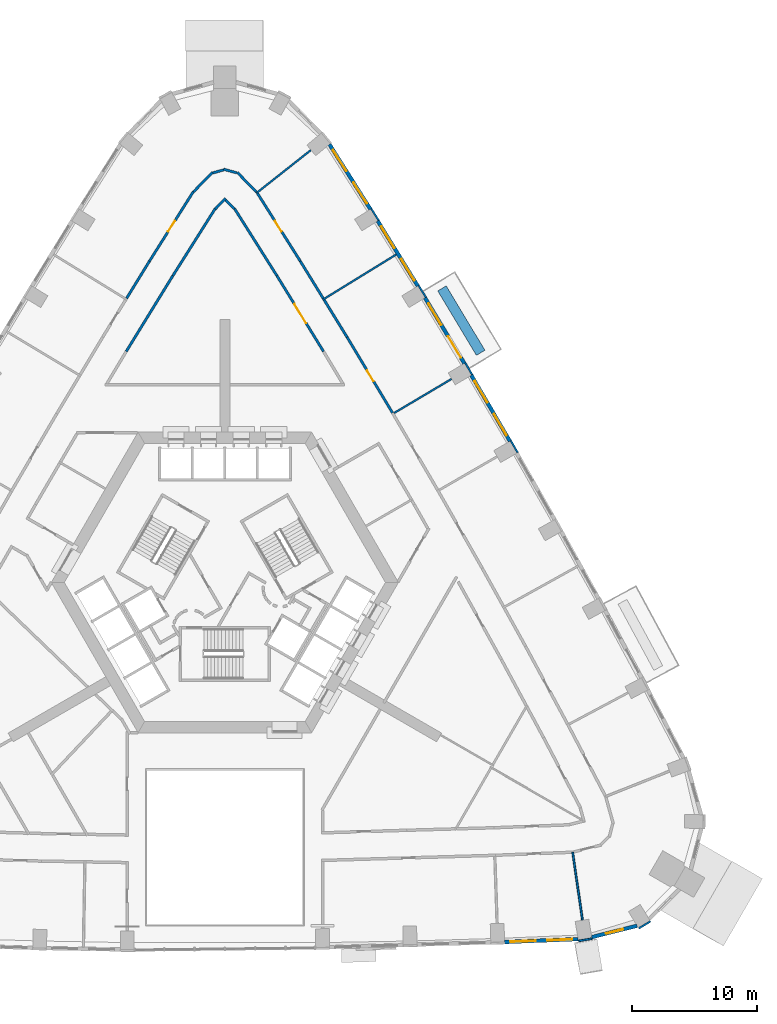
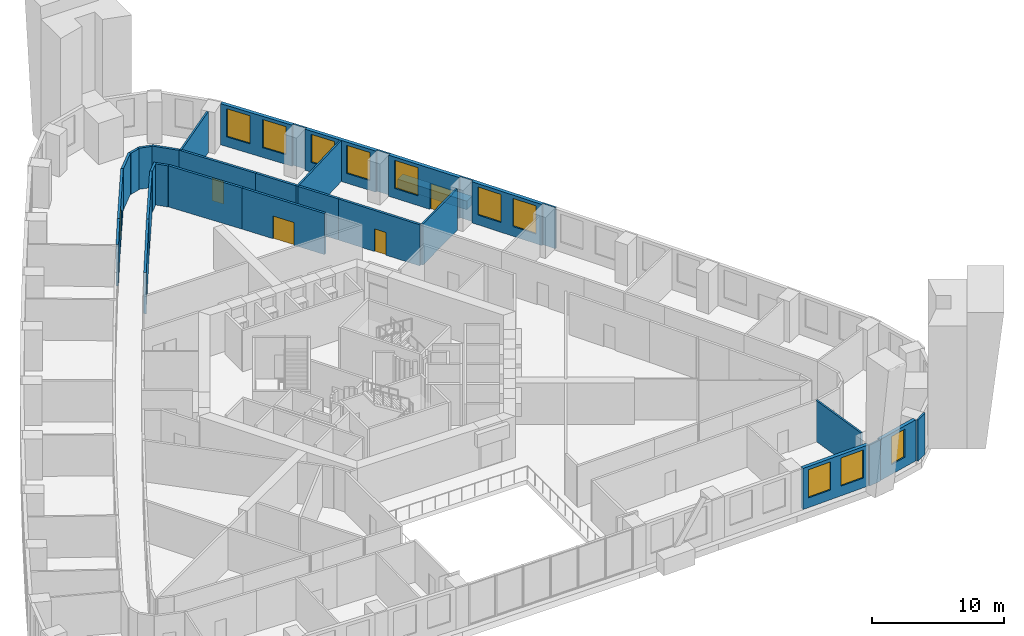
# One storey, part 10 of 15: 33 walls, 10 windows, 5 doors, 15 openings.
"""IFC4 building model written with IfcOpenShell, lengths in metres."""

import ifcopenshell
import ifcopenshell.guid

model = None  # the IFC model being written
_history = None  # IfcOwnerHistory: only IFC2X3 demands one
_inside = {}  # id of a spatial element -> (the spatial element, [elements in it])
_under = {}  # id of a project, library or spatial element -> (it, [spatial elements below it])
_declared = {}  # id of a project -> (the project, [libraries it declares])
_typed = {}  # id of a type object -> (the type object, [elements of that type])
_made_of = {}  # id of a material, layer set ... -> (it, [elements and type objects made of it])


def new_model(schema):
    """Start an empty IFC model of exactly this schema.

    Asked for "IFC4X3", IfcOpenShell would pick the latest addendum, in which some entities
    have other attributes; the version numbers below select the first issue.
    IFC2X3 requires an IfcOwnerHistory on every rooted entity: one is made here for all.
    """
    global model, _history
    if schema == "IFC4X3":
        model = ifcopenshell.file(schema_version=(4, 3, 0, 0))
    else:
        model = ifcopenshell.file(schema=schema)
    _inside.clear()
    _under.clear()
    _declared.clear()
    _typed.clear()
    _made_of.clear()
    _history = None
    if model.schema == "IFC2X3":
        org = make("IfcOrganization", Name="unknown")
        user = make(
            "IfcPersonAndOrganization",
            ThePerson=make("IfcPerson", FamilyName="unknown"),
            TheOrganization=org,
        )
        app = make(
            "IfcApplication",
            ApplicationDeveloper=org,
            Version="unknown",
            ApplicationFullName="unknown",
            ApplicationIdentifier="unknown",
        )
        _history = make(
            "IfcOwnerHistory",
            OwningUser=user,
            OwningApplication=app,
            ChangeAction="ADDED",
            CreationDate=0,
        )
    return model


def make(cls, **values):
    """One entity of the class cls with the attributes given. An attribute that is None is left unset."""
    return model.create_entity(
        cls, **{name: value for name, value in values.items() if value is not None}
    )


def rooted(cls, **values):
    """An entity with a GlobalId (a new one), such as an element, a storey or a relation."""
    return make(cls, GlobalId=ifcopenshell.guid.new(), OwnerHistory=_history, **values)


def si_unit(unit_type, name, prefix=None):
    """IfcSIUnit, for example si_unit("LENGTHUNIT", "METRE", prefix="MILLI")."""
    return make("IfcSIUnit", UnitType=unit_type, Prefix=prefix, Name=name)


def assignment(units):
    """IfcUnitAssignment: the units of a project."""
    return None if units is None else make("IfcUnitAssignment", Units=units)


def point(xyz):
    """IfcCartesianPoint."""
    return None if xyz is None else make("IfcCartesianPoint", Coordinates=xyz)


def direction(xyz):
    """IfcDirection."""
    return None if xyz is None else make("IfcDirection", DirectionRatios=xyz)


def frame(location, z_axis=None, x_axis=None):
    """IfcAxis2Placement3D, a coordinate frame: its origin and axes. An axis left out is left unset."""
    return make(
        "IfcAxis2Placement3D",
        Location=point(location),
        Axis=direction(z_axis),
        RefDirection=direction(x_axis),
    )


def frame_2d(location, x_axis=None):
    """IfcAxis2Placement2D, a coordinate frame in the plane: its origin and x axis."""
    return make(
        "IfcAxis2Placement2D", Location=point(location), RefDirection=direction(x_axis)
    )


def origin():
    """The frame at (0, 0, 0) with its axes left unset."""
    return frame((0.0, 0.0, 0.0))


def place(relative_to, where):
    """IfcLocalPlacement: puts the frame where relative to a parent placement (None: the world)."""
    return make(
        "IfcLocalPlacement", PlacementRelTo=relative_to, RelativePlacement=where
    )


def context(
    kind, dimensions, precision=None, world=None, true_north=None, identifier=None
):
    """IfcGeometricRepresentationContext, for example the 3D "Model" context."""
    return make(
        "IfcGeometricRepresentationContext",
        ContextIdentifier=identifier,
        ContextType=kind,
        CoordinateSpaceDimension=dimensions,
        Precision=precision,
        WorldCoordinateSystem=world,
        TrueNorth=true_north,
    )


def subcontext(parent, identifier, kind, view, scale=None):
    """IfcGeometricRepresentationSubContext, for example "Body" below "Model"."""
    return make(
        "IfcGeometricRepresentationSubContext",
        ContextIdentifier=identifier,
        ContextType=kind,
        ParentContext=parent,
        TargetScale=scale,
        TargetView=view,
    )


def project(units=None, contexts=None):
    """IfcProject with its units and contexts."""
    return rooted(
        "IfcProject",
        Name="project",
        RepresentationContexts=contexts,
        UnitsInContext=assignment(units),
    )


def spatial(cls, under=None, at=None, **own):
    """A site, building, storey or space (cls), placed at a placement, below another one or the project."""
    s = rooted(cls, ObjectPlacement=at, **own)
    if under is not None:
        _under.setdefault(under.id(), (under, []))[1].append(s)
    return s


def profile(cls, at=None, kind="AREA", **sizes):
    """A parametric profile (cls). Its sizes go by their IFC names, for example OverallWidth=200.0."""
    return make(cls, ProfileType=kind, Position=at, **sizes)


def rectangle(**sizes):
    """IfcRectangleProfileDef."""
    return profile("IfcRectangleProfileDef", **sizes)


def extrude(swept, where, along, depth):
    """IfcExtrudedAreaSolid: the profile swept, set in the frame where, extruded along a direction by depth."""
    return make(
        "IfcExtrudedAreaSolid",
        SweptArea=swept,
        Position=where,
        ExtrudedDirection=direction(along),
        Depth=depth,
    )


def shape(context_of_items, identifier, shape_type, items):
    """IfcShapeRepresentation: the items that make up one representation, for example the "Body"."""
    return make(
        "IfcShapeRepresentation",
        ContextOfItems=context_of_items,
        RepresentationIdentifier=identifier,
        RepresentationType=shape_type,
        Items=items,
    )


def material(Name=None, Category=None):
    """IfcMaterial."""
    return make("IfcMaterial", Name=Name, Category=Category)


def layer(
    of_material, thickness, ventilated=None, Name=None, Category=None, Priority=None
):
    """IfcMaterialLayer: one layer of a wall or slab, of a material (None: an air gap)."""
    return make(
        "IfcMaterialLayer",
        Material=of_material,
        LayerThickness=thickness,
        IsVentilated=ventilated,
        Name=Name,
        Category=Category,
        Priority=Priority,
    )


def layer_set(layers, Name=None):
    """IfcMaterialLayerSet."""
    return make("IfcMaterialLayerSet", MaterialLayers=layers, LayerSetName=Name)


def made_of(thing, what):
    """Note that an element or type object is made of a material, layer set ...; save() writes the relation."""
    if what is not None:
        _made_of.setdefault(what.id(), (what, []))[1].append(thing)
    return thing


def type_object(cls, material=None, **own):
    """A type object (cls), such as IfcWallType, which elements share."""
    return made_of(rooted(cls, **own), material)


def element(
    cls,
    number,
    at=None,
    inside=None,
    cuts=None,
    type_object=None,
    material=None,
    context=None,
    identifier="Body",
    shape_type=None,
    held_by="IfcProductDefinitionShape",
    body=None,
    shapes=None,
    **own,
):
    """One element of the class cls, such as IfcWall. Its Tag is "e" and its number.

    at: its placement. inside: the storey or other place that contains it. cuts: it is an
    opening in that element (IfcRelVoidsElement). A single representation is given by context,
    identifier, shape_type and body (its items); several are given by shapes. held_by: the class
    of the entity that holds the representations. save() writes the other relations.
    """
    e = rooted(cls, Tag="e%d" % number, ObjectPlacement=at, **own)
    if body is not None:
        shapes = [shape(context, identifier, shape_type, body)]
    if shapes is not None:
        e.Representation = make(held_by, Representations=shapes)
    if inside is not None:
        _inside.setdefault(inside.id(), (inside, []))[1].append(e)
    if cuts is not None:
        rooted(
            "IfcRelVoidsElement", RelatingBuildingElement=cuts, RelatedOpeningElement=e
        )
    if type_object is not None:
        _typed.setdefault(type_object.id(), (type_object, []))[1].append(e)
    return made_of(e, material)


def fill(opening, filler):
    """IfcRelFillsElement: the door or window that sits in an opening."""
    return rooted(
        "IfcRelFillsElement",
        RelatingOpeningElement=opening,
        RelatedBuildingElement=filler,
    )


def aggregate(whole, parts):
    """IfcRelAggregates: a whole, such as a stair, and the parts it consists of."""
    return rooted("IfcRelAggregates", RelatingObject=whole, RelatedObjects=parts)


def save(model, path):
    """Write the relations noted so far, then the file.

    IfcRelAggregates (storeys below a building ...), IfcRelContainedInSpatialStructure (elements
    in a storey), IfcRelDefinesByType, IfcRelAssociatesMaterial and IfcRelDeclares: one each for
    every whole, place, type object, material and project.
    """
    for whole, parts in _under.values():
        aggregate(whole, parts)
    for where, things in _inside.values():
        rooted(
            "IfcRelContainedInSpatialStructure",
            RelatedElements=things,
            RelatingStructure=where,
        )
    for kind, things in _typed.values():
        rooted("IfcRelDefinesByType", RelatedObjects=things, RelatingType=kind)
    for what, things in _made_of.values():
        rooted("IfcRelAssociatesMaterial", RelatedObjects=things, RelatingMaterial=what)
    for by, libraries in _declared.values():
        rooted("IfcRelDeclares", RelatingContext=by, RelatedDefinitions=libraries)
    model.write(path)


model = new_model("IFC4")

# Units and contexts
model_context = context("Model", 3, precision=1e-05, world=origin(), true_north=direction((0.0, 1.0)))
body_context = subcontext(model_context, "Body", "Model", "MODEL_VIEW")
ifc_project = project(units=[si_unit("LENGTHUNIT", "METRE"), si_unit("AREAUNIT", "SQUARE_METRE"), si_unit("VOLUMEUNIT", "CUBIC_METRE"), si_unit("PLANEANGLEUNIT", "RADIAN"), si_unit("MASSUNIT", "GRAM", prefix="KILO")], contexts=[model_context])

# Site, building, storey
site_placement = place(None, origin())
site = spatial("IfcSite", under=ifc_project, at=site_placement, CompositionType="ELEMENT")
building_placement = place(site_placement, origin())
building = spatial("IfcBuilding", under=site, at=building_placement, Name="Entoto Arch Interchange Tower", CompositionType="ELEMENT")
storey_placement = place(building_placement, frame((0.0, 0.0, 99.199951171875)))
storey = spatial("IfcBuildingStorey", under=building, at=storey_placement, Name="L21", CompositionType="ELEMENT", Elevation=99.199951171875)

# Walls
ifc_material_1 = material(Name="Gypsum board partition on steel studs", Category="steel")
ifc_layer_1 = layer(ifc_material_1, 0.14990234375)
ifc_layer_set_1 = layer_set([ifc_layer_1], Name="Gypsum board partition on steel studs")
wall_type_1 = type_object("IfcWallType", Name="PARTITION 150", PredefinedType="PARTITIONING", material=ifc_layer_set_1)
wall_1_placement = place(storey_placement, frame((27.764892578125, -19.035888671875, 0.0), z_axis=(0.0, 0.0, 1.0), x_axis=(0.142827612329, -0.989747580526, 0.0)))
element("IfcWall", 1, at=wall_1_placement, inside=storey, type_object=wall_type_1, Name="wall:L21:p138", PredefinedType="PARTITIONING", context=body_context, shape_type="SweptSolid", body=[
    extrude(rectangle(XDim=5.46826171875, YDim=0.14990234375, at=frame_2d((2.734130859375, 0.0))), origin(), (0.0, 0.0, 1.0), 3.800048828125),
])
wall_2_placement = place(storey_placement, frame((13.507080078125, 16.02490234375, 0.0), z_axis=(0.0, 0.0, 1.0), x_axis=(0.860289301319, 0.509806157315, 0.0)))
element("IfcWall", 2, at=wall_2_placement, inside=storey, type_object=wall_type_1, Name="wall:L21:p143", PredefinedType="PARTITIONING", context=body_context, shape_type="SweptSolid", body=[
    extrude(rectangle(XDim=5.32958984375, YDim=0.14990234375, at=frame_2d((2.664794921875, 0.0))), origin(), (0.0, 0.0, 1.0), 3.800048828125),
])
wall_3_placement = place(storey_placement, frame((7.802001953125, 25.06396484375, 0.0), z_axis=(0.0, 0.0, 1.0), x_axis=(0.851596352662, 0.524198103901, 0.0)))
element("IfcWall", 3, at=wall_3_placement, inside=storey, type_object=wall_type_1, Name="wall:L21:p144", PredefinedType="PARTITIONING", context=body_context, shape_type="SweptSolid", body=[
    extrude(rectangle(XDim=6.89990234375, YDim=0.14990234375, at=frame_2d((3.449951171875, 0.0))), origin(), (0.0, 0.0, 1.0), 3.800048828125),
])
wall_4_placement = place(storey_placement, frame((2.56591796875, 33.6201171875, 0.0), z_axis=(0.0, 0.0, 1.0), x_axis=(0.784838195876, 0.619700739304, 0.0)))
element("IfcWall", 4, at=wall_4_placement, inside=storey, type_object=wall_type_1, Name="wall:L21:p145", PredefinedType="PARTITIONING", context=body_context, shape_type="SweptSolid", body=[
    extrude(rectangle(XDim=5.46875, YDim=0.14990234375, at=frame_2d((2.734375, 0.0))), origin(), (0.0, 0.0, 1.0), 3.800048828125),
])

# Wall, opening, door
ifc_layer_2 = layer(ifc_material_1, 0.199951171875)
ifc_layer_set_2 = layer_set([ifc_layer_2], Name="Gypsum board partition on steel studs")
wall_type_2 = type_object("IfcWallType", Name="PARTITION 200", PredefinedType="PARTITIONING", material=ifc_layer_set_2)
wall_5_placement = place(storey_placement, frame((7.875, 20.93994140625, 0.0), z_axis=(0.0, 0.0, 1.0), x_axis=(-0.524183774504, 0.851605172921, 0.0)))
wall_5 = element("IfcWall", 5, at=wall_5_placement, inside=storey, type_object=wall_type_2, Name="wall:L21:p010", PredefinedType="PARTITIONING", context=body_context, shape_type="SweptSolid", body=[
    extrude(rectangle(XDim=7.0986328125, YDim=0.199951171875, at=frame_2d((3.54931640625, 0.0))), origin(), (0.0, 0.0, 1.0), 3.800048828125),
])
opening_1_placement = place(wall_5_placement, frame((2.64892578125, 0.0, 0.0)))
opening_1 = element("IfcOpeningElement", 6, at=opening_1_placement, cuts=wall_5, Name="Opening L21-D25", PredefinedType="OPENING", context=body_context, shape_type="SweptSolid", body=[
    extrude(rectangle(XDim=1.800048828125, YDim=2.10009765625, at=frame_2d((0.89990234375, 1.050048828125))), frame((0.0, 0.10986328125, 0.0), z_axis=(0.0, -1.0, 0.0), x_axis=(1.0, 0.0, 0.0)), (0.0, 0.0, 1.0), 0.219970703125),
])
ifc_material_2 = material(Name="Timber door leaf in Steel S235 frame", Category="steel")
door_type_1 = type_object("IfcDoorType", Name="DOOR DD-18 1800x2100", OperationType="DOUBLE_DOOR_SINGLE_SWING", PredefinedType="DOOR", material=ifc_material_2)
door_1_placement = place(opening_1_placement, origin())
door_1 = element("IfcDoor", 7, at=door_1_placement, inside=storey, type_object=door_type_1, Name="door:L21:25", OperationType="DOUBLE_DOOR_SINGLE_SWING", OverallHeight=2.10009765625, OverallWidth=1.800048828125, PredefinedType="DOOR", context=body_context, shape_type="SweptSolid", body=[
    extrude(rectangle(XDim=1.800048828125, YDim=2.10009765625, at=frame_2d((0.89990234375, 1.050048828125))), frame((0.0, 0.02490234375, 0.0), z_axis=(0.0, -1.0, 0.0), x_axis=(1.0, 0.0, 0.0)), (0.0, 0.0, 1.0), 0.050048828125),
])
fill(opening_1, door_1)

# Walls
wall_6_placement = place(storey_placement, frame((4.154052734375, 26.985107421875, 0.0), z_axis=(0.0, 0.0, 1.0), x_axis=(-0.53384777413, 0.84558060175, 0.0)))
element("IfcWall", 8, at=wall_6_placement, inside=storey, type_object=wall_type_2, Name="wall:L21:p011", PredefinedType="PARTITIONING", context=body_context, shape_type="SweptSolid", body=[
    extrude(rectangle(XDim=6.32568359375, YDim=0.199951171875, at=frame_2d((3.162841796875, 0.0))), origin(), (0.0, 0.0, 1.0), 3.800048828125),
])
wall_7_placement = place(storey_placement, frame((0.760009765625, 32.321044921875, 0.0), z_axis=(0.0, 0.0, 1.0), x_axis=(-0.698898447714, 0.715220916769, 0.0)))
element("IfcWall", 9, at=wall_7_placement, inside=storey, type_object=wall_type_2, Name="wall:L21:p012", PredefinedType="PARTITIONING", context=body_context, shape_type="SweptSolid", body=[
    extrude(rectangle(XDim=0.9873046875, YDim=0.199951171875, at=frame_2d((0.49365234375, 0.0))), origin(), (0.0, 0.0, 1.0), 3.800048828125),
])
wall_8_placement = place(storey_placement, frame((0.070068359375, 33.169921875, 0.0), z_axis=(0.0, 0.0, 1.0), x_axis=(-0.699145664909, -0.714979257908, 0.0)))
element("IfcWall", 10, at=wall_8_placement, inside=storey, type_object=wall_type_2, Name="wall:L21:p013", PredefinedType="PARTITIONING", context=body_context, shape_type="SweptSolid", body=[
    extrude(rectangle(XDim=1.187255859375, YDim=0.199951171875, at=frame_2d((0.59375, 0.0))), origin(), (0.0, 0.0, 1.0), 3.800048828125),
])
wall_9_placement = place(storey_placement, frame((-0.777099609375, 32.333984375, 0.0), z_axis=(0.0, 0.0, 1.0), x_axis=(-0.53384777413, -0.84558060175, 0.0)))
element("IfcWall", 11, at=wall_9_placement, inside=storey, type_object=wall_type_2, Name="wall:L21:p014", PredefinedType="PARTITIONING", context=body_context, shape_type="SweptSolid", body=[
    extrude(rectangle(XDim=6.32568359375, YDim=0.199951171875, at=frame_2d((3.162841796875, 0.0))), origin(), (0.0, 0.0, 1.0), 3.800048828125),
])
wall_10_placement = place(storey_placement, frame((-4.154052734375, 26.985107421875, 0.0), z_axis=(0.0, 0.0, 1.0), x_axis=(-0.524183774504, -0.851605172921, 0.0)))
element("IfcWall", 12, at=wall_10_placement, inside=storey, type_object=wall_type_2, Name="wall:L21:p015", PredefinedType="PARTITIONING", context=body_context, shape_type="SweptSolid", body=[
    extrude(rectangle(XDim=7.0986328125, YDim=0.199951171875, at=frame_2d((3.54931640625, 0.0))), origin(), (0.0, 0.0, 1.0), 3.800048828125),
])
wall_11_placement = place(storey_placement, frame((7.927001953125, 25.052001953125, 0.0), z_axis=(0.0, 0.0, 1.0), x_axis=(0.524140390501, -0.851631875311, 0.0)))
element("IfcWall", 13, at=wall_11_placement, inside=storey, type_object=wall_type_2, Name="wall:L21:p055", PredefinedType="PARTITIONING", context=body_context, shape_type="SweptSolid", body=[
    extrude(rectangle(XDim=3.4873046875, YDim=0.199951171875, at=frame_2d((1.74365234375, 0.0))), origin(), (0.0, 0.0, 1.0), 3.800048828125),
])

# Wall, opening, door
wall_12_placement = place(storey_placement, frame((9.7548828125, 22.08203125, 0.0), z_axis=(0.0, 0.0, 1.0), x_axis=(0.514582342012, -0.857440967816, 0.0)))
wall_12 = element("IfcWall", 14, at=wall_12_placement, inside=storey, type_object=wall_type_2, Name="wall:L21:p056", PredefinedType="PARTITIONING", context=body_context, shape_type="SweptSolid", body=[
    extrude(rectangle(XDim=7.048828125, YDim=0.199951171875, at=frame_2d((3.5244140625, 0.0))), origin(), (0.0, 0.0, 1.0), 3.800048828125),
])
opening_2_placement = place(wall_12_placement, frame((3.10009765625, 0.0, 0.0)))
opening_2 = element("IfcOpeningElement", 15, at=opening_2_placement, cuts=wall_12, Name="Opening L21-D08", PredefinedType="OPENING", context=body_context, shape_type="SweptSolid", body=[
    extrude(rectangle(XDim=1.0, YDim=2.10009765625, at=frame_2d((0.5, 1.050048828125))), frame((0.0, 0.10986328125, 0.0), z_axis=(0.0, -1.0, 0.0), x_axis=(1.0, 0.0, 0.0)), (0.0, 0.0, 1.0), 0.219970703125),
])
door_type_2 = type_object("IfcDoorType", Name="DOOR DS-10 1000x2100", OperationType="SINGLE_SWING_LEFT", PredefinedType="DOOR", material=ifc_material_2)
door_2_placement = place(opening_2_placement, origin())
door_2 = element("IfcDoor", 16, at=door_2_placement, inside=storey, type_object=door_type_2, Name="door:L21:08", OperationType="SINGLE_SWING_LEFT", OverallHeight=2.10009765625, OverallWidth=1.0, PredefinedType="DOOR", context=body_context, shape_type="SweptSolid", body=[
    extrude(rectangle(XDim=1.0, YDim=2.10009765625, at=frame_2d((0.5, 1.050048828125))), frame((0.0, 0.02490234375, 0.0), z_axis=(0.0, -1.0, 0.0), x_axis=(1.0, 0.0, 0.0)), (0.0, 0.0, 1.0), 0.050048828125),
])
fill(opening_2, door_2)

wall_13_placement = place(storey_placement, frame((2.512939453125, 33.705078125, 0.0), z_axis=(0.0, 0.0, 1.0), x_axis=(0.533874165031, -0.845563939577, 0.0)))
wall_13 = element("IfcWall", 17, at=wall_13_placement, inside=storey, type_object=wall_type_2, Name="wall:L21:p057", PredefinedType="PARTITIONING", context=body_context, shape_type="SweptSolid", body=[
    extrude(rectangle(XDim=6.571044921875, YDim=0.199951171875, at=frame_2d((3.28564453125, 0.0))), origin(), (0.0, 0.0, 1.0), 3.800048828125),
])
opening_3_placement = place(wall_13_placement, frame((2.784912109375, 0.0, 0.0)))
opening_3 = element("IfcOpeningElement", 18, at=opening_3_placement, cuts=wall_13, Name="Opening L21-D09", PredefinedType="OPENING", context=body_context, shape_type="SweptSolid", body=[
    extrude(rectangle(XDim=1.0, YDim=2.10009765625, at=frame_2d((0.5, 1.050048828125))), frame((0.0, 0.10986328125, 0.0), z_axis=(0.0, -1.0, 0.0), x_axis=(1.0, 0.0, 0.0)), (0.0, 0.0, 1.0), 0.219970703125),
])
door_3_placement = place(opening_3_placement, origin())
door_3 = element("IfcDoor", 19, at=door_3_placement, inside=storey, type_object=door_type_2, Name="door:L21:09", OperationType="SINGLE_SWING_LEFT", OverallHeight=2.10009765625, OverallWidth=1.0, PredefinedType="DOOR", context=body_context, shape_type="SweptSolid", body=[
    extrude(rectangle(XDim=1.0, YDim=2.10009765625, at=frame_2d((0.5, 1.050048828125))), frame((0.0, 0.02490234375, 0.0), z_axis=(0.0, -1.0, 0.0), x_axis=(1.0, 0.0, 0.0)), (0.0, 0.0, 1.0), 0.050048828125),
])
fill(opening_3, door_3)

# Walls
for number, where, z_axis, x_axis, name in (
    (20, (6.02099609375, 28.14892578125, 0.0), (0.0, 0.0, 1.0), (0.524062258075, -0.851679957297, 0.0), "wall:L21:p058"),
    (21, (-7.847900390625, 25.179931640625, 0.0), (0.0, 0.0, 1.0), (0.524062258075, 0.851679957297, 0.0), "wall:L21:p059"),
):
    element("IfcWall", number, at=place(storey_placement, frame(where, z_axis=z_axis, x_axis=x_axis)), inside=storey, type_object=wall_type_2, Name=name, PredefinedType="PARTITIONING", context=body_context, shape_type="SweptSolid", body=[
        extrude(rectangle(XDim=3.486083984375, YDim=0.199951171875, at=frame_2d((1.7431640625, 0.0))), origin(), (0.0, 0.0, 1.0), 3.800048828125),
    ])

# Wall, opening, door
wall_14_placement = place(storey_placement, frame((-6.02099609375, 28.14892578125, 0.0), z_axis=(0.0, 0.0, 1.0), x_axis=(0.533874165031, 0.845563939577, 0.0)))
wall_14 = element("IfcWall", 22, at=wall_14_placement, inside=storey, type_object=wall_type_2, Name="wall:L21:p060", PredefinedType="PARTITIONING", context=body_context, shape_type="SweptSolid", body=[
    extrude(rectangle(XDim=6.571044921875, YDim=0.199951171875, at=frame_2d((3.28564453125, 0.0))), origin(), (0.0, 0.0, 1.0), 3.800048828125),
])
opening_4_placement = place(wall_14_placement, frame((2.784912109375, 0.0, 0.0)))
opening_4 = element("IfcOpeningElement", 23, at=opening_4_placement, cuts=wall_14, Name="Opening L21-D10", PredefinedType="OPENING", context=body_context, shape_type="SweptSolid", body=[
    extrude(rectangle(XDim=1.0, YDim=2.10009765625, at=frame_2d((0.5, 1.050048828125))), frame((0.0, 0.10986328125, 0.0), z_axis=(0.0, -1.0, 0.0), x_axis=(1.0, 0.0, 0.0)), (0.0, 0.0, 1.0), 0.219970703125),
])
door_4_placement = place(opening_4_placement, origin())
door_4 = element("IfcDoor", 24, at=door_4_placement, inside=storey, type_object=door_type_2, Name="door:L21:10", OperationType="SINGLE_SWING_LEFT", OverallHeight=2.10009765625, OverallWidth=1.0, PredefinedType="DOOR", context=body_context, shape_type="SweptSolid", body=[
    extrude(rectangle(XDim=1.0, YDim=2.10009765625, at=frame_2d((0.5, 1.050048828125))), frame((0.0, 0.02490234375, 0.0), z_axis=(0.0, -1.0, 0.0), x_axis=(1.0, 0.0, 0.0)), (0.0, 0.0, 1.0), 0.050048828125),
])
fill(opening_4, door_4)

# Walls
wall_15_placement = place(storey_placement, frame((-2.49609375, 33.69189453125, 0.0), z_axis=(0.0, 0.0, 1.0), x_axis=(0.698771726105, 0.715344724449, 0.0)))
element("IfcWall", 25, at=wall_15_placement, inside=storey, type_object=wall_type_2, Name="wall:L21:p061", PredefinedType="PARTITIONING", context=body_context, shape_type="SweptSolid", body=[
    extrude(rectangle(XDim=2.16552734375, YDim=0.199951171875, at=frame_2d((1.082763671875, 0.0))), origin(), (0.0, 0.0, 1.0), 3.800048828125),
])
wall_16_placement = place(storey_placement, frame((-0.9560546875, 35.196044921875, 0.0), z_axis=(0.0, 0.0, 1.0), x_axis=(0.963772226389, 0.266726630919, 0.0)))
element("IfcWall", 26, at=wall_16_placement, inside=storey, type_object=wall_type_2, Name="wall:L21:p062", PredefinedType="PARTITIONING", context=body_context, shape_type="SweptSolid", body=[
    extrude(rectangle(XDim=0.892333984375, YDim=0.199951171875, at=frame_2d((0.4462890625, 0.0))), origin(), (0.0, 0.0, 1.0), 3.800048828125),
])
wall_17_placement = place(storey_placement, frame((-0.095947265625, 35.487060546875, 0.0), z_axis=(0.0, 0.0, 1.0), x_axis=(0.963802560401, -0.266616999767, 0.0)))
element("IfcWall", 27, at=wall_17_placement, inside=storey, type_object=wall_type_2, Name="wall:L21:p063", PredefinedType="PARTITIONING", context=body_context, shape_type="SweptSolid", body=[
    extrude(rectangle(XDim=1.091552734375, YDim=0.199951171875, at=frame_2d((0.5458984375, 0.0))), origin(), (0.0, 0.0, 1.0), 3.800048828125),
])
wall_18_placement = place(storey_placement, frame((0.98291015625, 35.240966796875, 0.0), z_axis=(0.0, 0.0, 1.0), x_axis=(0.698771726105, -0.715344724449, 0.0)))
element("IfcWall", 28, at=wall_18_placement, inside=storey, type_object=wall_type_2, Name="wall:L21:p064", PredefinedType="PARTITIONING", context=body_context, shape_type="SweptSolid", body=[
    extrude(rectangle(XDim=2.16552734375, YDim=0.199951171875, at=frame_2d((1.082763671875, 0.0))), origin(), (0.0, 0.0, 1.0), 3.800048828125),
])
ifc_material_3 = material(Name="Board-marked precast concrete C50/60", Category="concrete")
ifc_layer_3 = layer(ifc_material_3, 0.800048828125)
ifc_layer_set_3 = layer_set([ifc_layer_3], Name="Board-marked precast concrete C50/60")
wall_type_3 = type_object("IfcWallType", Name="PLANTER RC 800 Olea europaea subsp. cuspidata", PredefinedType="STANDARD", material=ifc_layer_set_3)
wall_19_placement = place(storey_placement, frame((20.4208984375, 20.827880859375, 0.0), z_axis=(0.0, 0.0, 1.0), x_axis=(-0.514609363357, 0.857424750719, 0.0)))
element("IfcWall", 29, at=wall_19_placement, inside=storey, type_object=wall_type_3, Name="Planter NE-06 L21", PredefinedType="STANDARD", context=body_context, shape_type="SweptSolid", body=[
    extrude(rectangle(XDim=6.004150390625, YDim=0.800048828125, at=frame_2d((3.001953125, 0.0))), origin(), (0.0, 0.0, 1.0), 0.800048828125),
])

# Wall, openings, windows
ifc_material_4 = material(Name="Welded tuff (ignimbrite) cladding, warm buff", Category="masonry")
ifc_layer_4 = layer(ifc_material_4, 0.300048828125)
ifc_layer_set_4 = layer_set([ifc_layer_4], Name="Welded tuff (ignimbrite) cladding, warm buff")
wall_type_4 = type_object("IfcWallType", Name="STONE INFILL WALL 300", PredefinedType="STANDARD", material=ifc_layer_set_4)
wall_20_placement = place(storey_placement, frame((22.33203125, -26.2060546875, 0.0), z_axis=(0.0, 0.0, 1.0), x_axis=(0.99922113396, 0.039460428885, 0.0)))
wall_20 = element("IfcWall", 30, at=wall_20_placement, inside=storey, type_object=wall_type_4, Name="Facade wall S-07 L21", PredefinedType="STANDARD", context=body_context, shape_type="SweptSolid", body=[
    extrude(rectangle(XDim=5.877685546875, YDim=0.300048828125, at=frame_2d((2.93896484375, 0.0))), origin(), (0.0, 0.0, 1.0), 3.800048828125),
])
opening_5_placement = place(wall_20_placement, frame((0.468994140625, 0.0, 0.89990234375)))
opening_5 = element("IfcOpeningElement", 31, at=opening_5_placement, cuts=wall_20, Name="Opening WO-C", PredefinedType="OPENING", context=body_context, shape_type="SweptSolid", body=[
    extrude(rectangle(XDim=2.0, YDim=2.60009765625, at=frame_2d((1.0, 1.300048828125))), frame((0.0, 0.16015625, 0.0), z_axis=(0.0, -1.0, 0.0), x_axis=(1.0, 0.0, 0.0)), (0.0, 0.0, 1.0), 0.320068359375),
])
opening_6_placement = place(wall_20_placement, frame((3.407958984375, 0.0, 0.89990234375)))
opening_6 = element("IfcOpeningElement", 32, at=opening_6_placement, cuts=wall_20, Name="Opening WO-C", PredefinedType="OPENING", context=body_context, shape_type="SweptSolid", body=[
    extrude(rectangle(XDim=2.0, YDim=2.60009765625, at=frame_2d((1.0, 1.300048828125))), frame((0.0, 0.16015625, 0.0), z_axis=(0.0, -1.0, 0.0), x_axis=(1.0, 0.0, 0.0)), (0.0, 0.0, 1.0), 0.320068359375),
])
ifc_material_5 = material(Name="Clear glass, low-e double glazed", Category="glass")
window_type_1 = type_object("IfcWindowType", Name="WINDOW WO-C 2000x2600", PartitioningType="DOUBLE_PANEL_VERTICAL", PredefinedType="WINDOW", material=ifc_material_5)
window_1_placement = place(opening_5_placement, origin())
window_1 = element("IfcWindow", 33, at=window_1_placement, inside=storey, type_object=window_type_1, Name="Window WO-C S-07 L21", OverallHeight=2.60009765625, OverallWidth=2.0, PartitioningType="SINGLE_PANEL", PredefinedType="WINDOW", context=body_context, shape_type="SweptSolid", body=[
    extrude(rectangle(XDim=2.0, YDim=2.60009765625, at=frame_2d((1.0, 1.300048828125))), frame((0.0, 0.030029296875, 0.0), z_axis=(0.0, -1.0, 0.0), x_axis=(1.0, 0.0, 0.0)), (0.0, 0.0, 1.0), 0.06005859375),
])
fill(opening_5, window_1)
window_2_placement = place(opening_6_placement, origin())
window_2 = element("IfcWindow", 34, at=window_2_placement, inside=storey, type_object=window_type_1, Name="Window WO-C S-07 L21", OverallHeight=2.60009765625, OverallWidth=2.0, PartitioningType="SINGLE_PANEL", PredefinedType="WINDOW", context=body_context, shape_type="SweptSolid", body=[
    extrude(rectangle(XDim=2.0, YDim=2.60009765625, at=frame_2d((1.0, 1.300048828125))), frame((0.0, 0.030029296875, 0.0), z_axis=(0.0, -1.0, 0.0), x_axis=(1.0, 0.0, 0.0)), (0.0, 0.0, 1.0), 0.06005859375),
])
fill(opening_6, window_2)

# Wall, opening, window
wall_21_placement = place(storey_placement, frame((29.29296875, -25.818115234375, 0.0), z_axis=(0.0, 0.0, 1.0), x_axis=(0.969658938481, 0.244461741432, 0.0)))
wall_21 = element("IfcWall", 35, at=wall_21_placement, inside=storey, type_object=wall_type_4, Name="Facade wall SE-01 L21", PredefinedType="STANDARD", context=body_context, shape_type="SweptSolid", body=[
    extrude(rectangle(XDim=3.72705078125, YDim=0.300048828125, at=frame_2d((1.863525390625, 0.0))), origin(), (0.0, 0.0, 1.0), 3.800048828125),
])
opening_7_placement = place(wall_21_placement, frame((1.1640625, 0.0, 0.89990234375)))
opening_7 = element("IfcOpeningElement", 36, at=opening_7_placement, cuts=wall_21, Name="Opening WO-B", PredefinedType="OPENING", context=body_context, shape_type="SweptSolid", body=[
    extrude(rectangle(XDim=1.39990234375, YDim=2.60009765625, at=frame_2d((0.699951171875, 1.300048828125))), frame((0.0, 0.16015625, 0.0), z_axis=(0.0, -1.0, 0.0), x_axis=(1.0, 0.0, 0.0)), (0.0, 0.0, 1.0), 0.320068359375),
])
window_type_2 = type_object("IfcWindowType", Name="WINDOW WO-B 1400x2600", PartitioningType="DOUBLE_PANEL_VERTICAL", PredefinedType="WINDOW", material=ifc_material_5)
window_3_placement = place(opening_7_placement, origin())
window_3 = element("IfcWindow", 37, at=window_3_placement, inside=storey, type_object=window_type_2, Name="Window WO-B SE-01 L21", OverallHeight=2.60009765625, OverallWidth=1.39990234375, PartitioningType="SINGLE_PANEL", PredefinedType="WINDOW", context=body_context, shape_type="SweptSolid", body=[
    extrude(rectangle(XDim=1.39990234375, YDim=2.60009765625, at=frame_2d((0.699951171875, 1.300048828125))), frame((0.0, 0.030029296875, 0.0), z_axis=(0.0, -1.0, 0.0), x_axis=(1.0, 0.0, 0.0)), (0.0, 0.0, 1.0), 0.06005859375),
])
fill(opening_7, window_3)

# Wall, openings, windows
wall_22_placement = place(storey_placement, frame((22.759033203125, 13.77392578125, 0.0), z_axis=(0.0, 0.0, 1.0), x_axis=(-0.50490018297, 0.863177736759, 0.0)))
wall_22 = element("IfcWall", 38, at=wall_22_placement, inside=storey, type_object=wall_type_4, Name="Facade wall NE-05 L21", PredefinedType="STANDARD", context=body_context, shape_type="SweptSolid", body=[
    extrude(rectangle(XDim=6.104248046875, YDim=0.300048828125, at=frame_2d((3.05224609375, 0.0))), origin(), (0.0, 0.0, 1.0), 3.800048828125),
])
opening_8_placement = place(wall_22_placement, frame((0.52587890625, 0.0, 0.89990234375)))
opening_8 = element("IfcOpeningElement", 39, at=opening_8_placement, cuts=wall_22, Name="Opening WO-C", PredefinedType="OPENING", context=body_context, shape_type="SweptSolid", body=[
    extrude(rectangle(XDim=2.0, YDim=2.60009765625, at=frame_2d((1.0, 1.300048828125))), frame((0.0, 0.16015625, 0.0), z_axis=(0.0, -1.0, 0.0), x_axis=(1.0, 0.0, 0.0)), (0.0, 0.0, 1.0), 0.320068359375),
])
opening_9_placement = place(wall_22_placement, frame((3.577880859375, 0.0, 0.89990234375)))
opening_9 = element("IfcOpeningElement", 40, at=opening_9_placement, cuts=wall_22, Name="Opening WO-C", PredefinedType="OPENING", context=body_context, shape_type="SweptSolid", body=[
    extrude(rectangle(XDim=2.0, YDim=2.60009765625, at=frame_2d((1.0, 1.300048828125))), frame((0.0, 0.16015625, 0.0), z_axis=(0.0, -1.0, 0.0), x_axis=(1.0, 0.0, 0.0)), (0.0, 0.0, 1.0), 0.320068359375),
])
window_4_placement = place(opening_8_placement, origin())
window_4 = element("IfcWindow", 41, at=window_4_placement, inside=storey, type_object=window_type_1, Name="Window WO-C NE-05 L21", OverallHeight=2.60009765625, OverallWidth=2.0, PartitioningType="SINGLE_PANEL", PredefinedType="WINDOW", context=body_context, shape_type="SweptSolid", body=[
    extrude(rectangle(XDim=2.0, YDim=2.60009765625, at=frame_2d((1.0, 1.300048828125))), frame((0.0, 0.030029296875, 0.0), z_axis=(0.0, -1.0, 0.0), x_axis=(1.0, 0.0, 0.0)), (0.0, 0.0, 1.0), 0.06005859375),
])
fill(opening_8, window_4)
window_5_placement = place(opening_9_placement, origin())
window_5 = element("IfcWindow", 42, at=window_5_placement, inside=storey, type_object=window_type_1, Name="Window WO-C NE-05 L21", OverallHeight=2.60009765625, OverallWidth=2.0, PartitioningType="SINGLE_PANEL", PredefinedType="WINDOW", context=body_context, shape_type="SweptSolid", body=[
    extrude(rectangle(XDim=2.0, YDim=2.60009765625, at=frame_2d((1.0, 1.300048828125))), frame((0.0, 0.030029296875, 0.0), z_axis=(0.0, -1.0, 0.0), x_axis=(1.0, 0.0, 0.0)), (0.0, 0.0, 1.0), 0.06005859375),
])
fill(opening_9, window_5)

# Wall, openings, door, window
wall_23_placement = place(storey_placement, frame((19.116943359375, 19.987060546875, 0.0), z_axis=(0.0, 0.0, 1.0), x_axis=(-0.514560454873, 0.857454102726, 0.0)))
wall_23 = element("IfcWall", 43, at=wall_23_placement, inside=storey, type_object=wall_type_4, Name="Facade wall NE-06 L21", PredefinedType="STANDARD", context=body_context, shape_type="SweptSolid", body=[
    extrude(rectangle(XDim=6.10400390625, YDim=0.300048828125, at=frame_2d((3.052001953125, 0.0))), origin(), (0.0, 0.0, 1.0), 3.800048828125),
])
opening_10_placement = place(wall_23_placement, frame((0.52587890625, 0.0, 0.0)))
opening_10 = element("IfcOpeningElement", 44, at=opening_10_placement, cuts=wall_23, Name="Opening DB-NE-06-L21", PredefinedType="OPENING", context=body_context, shape_type="SweptSolid", body=[
    extrude(rectangle(XDim=2.0, YDim=2.39990234375, at=frame_2d((1.0, 1.199951171875))), frame((0.0, 0.16015625, 0.0), z_axis=(0.0, -1.0, 0.0), x_axis=(1.0, 0.0, 0.0)), (0.0, 0.0, 1.0), 0.320068359375),
])
opening_11_placement = place(wall_23_placement, frame((3.577880859375, 0.0, 0.89990234375)))
opening_11 = element("IfcOpeningElement", 45, at=opening_11_placement, cuts=wall_23, Name="Opening WO-C", PredefinedType="OPENING", context=body_context, shape_type="SweptSolid", body=[
    extrude(rectangle(XDim=2.0, YDim=2.60009765625, at=frame_2d((1.0, 1.300048828125))), frame((0.0, 0.16015625, 0.0), z_axis=(0.0, -1.0, 0.0), x_axis=(1.0, 0.0, 0.0)), (0.0, 0.0, 1.0), 0.320068359375),
])
ifc_material_6 = material(Name="Aluminium and clear glass, anodised", Category="aluminium")
door_type_3 = type_object("IfcDoorType", Name="BALCONY DOOR DB 2000x2400", OperationType="SLIDING_TO_LEFT", PredefinedType="DOOR", material=ifc_material_6)
door_5_placement = place(opening_10_placement, origin())
door_5 = element("IfcDoor", 46, at=door_5_placement, inside=storey, type_object=door_type_3, Name="Balcony door NE-06 L21", OperationType="SLIDING_TO_LEFT", OverallHeight=2.39990234375, OverallWidth=2.0, PredefinedType="DOOR", context=body_context, shape_type="SweptSolid", body=[
    extrude(rectangle(XDim=2.0, YDim=2.39990234375, at=frame_2d((1.0, 1.199951171875))), frame((0.0, 0.02490234375, 0.0), z_axis=(0.0, -1.0, 0.0), x_axis=(1.0, 0.0, 0.0)), (0.0, 0.0, 1.0), 0.050048828125),
])
fill(opening_10, door_5)
window_6_placement = place(opening_11_placement, origin())
window_6 = element("IfcWindow", 47, at=window_6_placement, inside=storey, type_object=window_type_1, Name="Window WO-C NE-06 L21", OverallHeight=2.60009765625, OverallWidth=2.0, PartitioningType="SINGLE_PANEL", PredefinedType="WINDOW", context=body_context, shape_type="SweptSolid", body=[
    extrude(rectangle(XDim=2.0, YDim=2.60009765625, at=frame_2d((1.0, 1.300048828125))), frame((0.0, 0.030029296875, 0.0), z_axis=(0.0, -1.0, 0.0), x_axis=(1.0, 0.0, 0.0)), (0.0, 0.0, 1.0), 0.06005859375),
])
fill(opening_11, window_6)

# Wall, openings, windows
wall_24_placement = place(storey_placement, frame((15.406005859375, 26.159912109375, 0.0), z_axis=(0.0, 0.0, 1.0), x_axis=(-0.524121974895, 0.851643208998, 0.0)))
wall_24 = element("IfcWall", 48, at=wall_24_placement, inside=storey, type_object=wall_type_4, Name="Facade wall NE-07 L21", PredefinedType="STANDARD", context=body_context, shape_type="SweptSolid", body=[
    extrude(rectangle(XDim=6.103515625, YDim=0.300048828125, at=frame_2d((3.0517578125, 0.0))), origin(), (0.0, 0.0, 1.0), 3.800048828125),
])
opening_12_placement = place(wall_24_placement, frame((0.52587890625, 0.0, 0.89990234375)))
opening_12 = element("IfcOpeningElement", 49, at=opening_12_placement, cuts=wall_24, Name="Opening WO-C", PredefinedType="OPENING", context=body_context, shape_type="SweptSolid", body=[
    extrude(rectangle(XDim=2.0, YDim=2.60009765625, at=frame_2d((1.0, 1.300048828125))), frame((0.0, 0.16015625, 0.0), z_axis=(0.0, -1.0, 0.0), x_axis=(1.0, 0.0, 0.0)), (0.0, 0.0, 1.0), 0.320068359375),
])
opening_13_placement = place(wall_24_placement, frame((3.577880859375, 0.0, 0.89990234375)))
opening_13 = element("IfcOpeningElement", 50, at=opening_13_placement, cuts=wall_24, Name="Opening WO-C", PredefinedType="OPENING", context=body_context, shape_type="SweptSolid", body=[
    extrude(rectangle(XDim=2.0, YDim=2.60009765625, at=frame_2d((1.0, 1.300048828125))), frame((0.0, 0.16015625, 0.0), z_axis=(0.0, -1.0, 0.0), x_axis=(1.0, 0.0, 0.0)), (0.0, 0.0, 1.0), 0.320068359375),
])
window_7_placement = place(opening_12_placement, origin())
window_7 = element("IfcWindow", 51, at=window_7_placement, inside=storey, type_object=window_type_1, Name="Window WO-C NE-07 L21", OverallHeight=2.60009765625, OverallWidth=2.0, PartitioningType="SINGLE_PANEL", PredefinedType="WINDOW", context=body_context, shape_type="SweptSolid", body=[
    extrude(rectangle(XDim=2.0, YDim=2.60009765625, at=frame_2d((1.0, 1.300048828125))), frame((0.0, 0.030029296875, 0.0), z_axis=(0.0, -1.0, 0.0), x_axis=(1.0, 0.0, 0.0)), (0.0, 0.0, 1.0), 0.06005859375),
])
fill(opening_12, window_7)
window_8_placement = place(opening_13_placement, origin())
window_8 = element("IfcWindow", 52, at=window_8_placement, inside=storey, type_object=window_type_1, Name="Window WO-C NE-07 L21", OverallHeight=2.60009765625, OverallWidth=2.0, PartitioningType="SINGLE_PANEL", PredefinedType="WINDOW", context=body_context, shape_type="SweptSolid", body=[
    extrude(rectangle(XDim=2.0, YDim=2.60009765625, at=frame_2d((1.0, 1.300048828125))), frame((0.0, 0.030029296875, 0.0), z_axis=(0.0, -1.0, 0.0), x_axis=(1.0, 0.0, 0.0)), (0.0, 0.0, 1.0), 0.06005859375),
])
fill(opening_13, window_8)

wall_25_placement = place(storey_placement, frame((11.6259765625, 32.2900390625, 0.0), z_axis=(0.0, 0.0, 1.0), x_axis=(-0.534018429465, 0.845472836342, 0.0)))
wall_25 = element("IfcWall", 53, at=wall_25_placement, inside=storey, type_object=wall_type_4, Name="Facade wall NE-08 L21", PredefinedType="STANDARD", context=body_context, shape_type="SweptSolid", body=[
    extrude(rectangle(XDim=6.138427734375, YDim=0.300048828125, at=frame_2d((3.0693359375, 0.0))), origin(), (0.0, 0.0, 1.0), 3.800048828125),
])
opening_14_placement = place(wall_25_placement, frame((0.534912109375, 0.0, 0.89990234375)))
opening_14 = element("IfcOpeningElement", 54, at=opening_14_placement, cuts=wall_25, Name="Opening WO-C", PredefinedType="OPENING", context=body_context, shape_type="SweptSolid", body=[
    extrude(rectangle(XDim=2.0, YDim=2.60009765625, at=frame_2d((1.0, 1.300048828125))), frame((0.0, 0.16015625, 0.0), z_axis=(0.0, -1.0, 0.0), x_axis=(1.0, 0.0, 0.0)), (0.0, 0.0, 1.0), 0.320068359375),
])
opening_15_placement = place(wall_25_placement, frame((3.60400390625, 0.0, 0.89990234375)))
opening_15 = element("IfcOpeningElement", 55, at=opening_15_placement, cuts=wall_25, Name="Opening WO-C", PredefinedType="OPENING", context=body_context, shape_type="SweptSolid", body=[
    extrude(rectangle(XDim=2.0, YDim=2.60009765625, at=frame_2d((1.0, 1.300048828125))), frame((0.0, 0.16015625, 0.0), z_axis=(0.0, -1.0, 0.0), x_axis=(1.0, 0.0, 0.0)), (0.0, 0.0, 1.0), 0.320068359375),
])
window_9_placement = place(opening_14_placement, origin())
window_9 = element("IfcWindow", 56, at=window_9_placement, inside=storey, type_object=window_type_1, Name="Window WO-C NE-08 L21", OverallHeight=2.60009765625, OverallWidth=2.0, PartitioningType="SINGLE_PANEL", PredefinedType="WINDOW", context=body_context, shape_type="SweptSolid", body=[
    extrude(rectangle(XDim=2.0, YDim=2.60009765625, at=frame_2d((1.0, 1.300048828125))), frame((0.0, 0.030029296875, 0.0), z_axis=(0.0, -1.0, 0.0), x_axis=(1.0, 0.0, 0.0)), (0.0, 0.0, 1.0), 0.06005859375),
])
fill(opening_14, window_9)
window_10_placement = place(opening_15_placement, origin())
window_10 = element("IfcWindow", 57, at=window_10_placement, inside=storey, type_object=window_type_1, Name="Window WO-C NE-08 L21", OverallHeight=2.60009765625, OverallWidth=2.0, PartitioningType="SINGLE_PANEL", PredefinedType="WINDOW", context=body_context, shape_type="SweptSolid", body=[
    extrude(rectangle(XDim=2.0, YDim=2.60009765625, at=frame_2d((1.0, 1.300048828125))), frame((0.0, 0.030029296875, 0.0), z_axis=(0.0, -1.0, 0.0), x_axis=(1.0, 0.0, 0.0)), (0.0, 0.0, 1.0), 0.06005859375),
])
fill(opening_15, window_10)

# Walls
ifc_layer_5 = layer(ifc_material_4, 0.14990234375)
ifc_layer_set_5 = layer_set([ifc_layer_5], Name="Welded tuff (ignimbrite) cladding, warm buff")
wall_type_5 = type_object("IfcWallType", Name="STONE PIER CLADDING 150", PredefinedType="STANDARD", material=ifc_layer_set_5)
wall_26_placement = place(storey_placement, frame((23.3759765625, 12.861083984375, 0.0), z_axis=(0.0, 0.0, 1.0), x_axis=(-0.499933745558, 0.866063652425, 0.0)))
element("IfcWall", 58, at=wall_26_placement, inside=storey, type_object=wall_type_5, Name="Stone pier NE05 L21", PredefinedType="STANDARD", context=body_context, shape_type="SweptSolid", body=[
    extrude(rectangle(XDim=1.100341796875, YDim=0.14990234375, at=frame_2d((0.55029296875, 0.0))), origin(), (0.0, 0.0, 1.0), 3.800048828125),
])
wall_27_placement = place(storey_placement, frame((19.7451171875, 19.08203125, 0.0), z_axis=(0.0, 0.0, 1.0), x_axis=(-0.510082245696, 0.860125631885, 0.0)))
element("IfcWall", 59, at=wall_27_placement, inside=storey, type_object=wall_type_5, Name="Stone pier NE06 L21", PredefinedType="STANDARD", context=body_context, shape_type="SweptSolid", body=[
    extrude(rectangle(XDim=1.099853515625, YDim=0.14990234375, at=frame_2d((0.5498046875, 0.0))), origin(), (0.0, 0.0, 1.0), 3.800048828125),
])
for number, where, z_axis, x_axis, name in (
    (60, (16.0439453125, 25.260986328125, 0.0), (0.0, 0.0, 1.0), (-0.519869515594, 0.854245682901, 0.0), "Stone pier NE07 L21"),
    (61, (12.27392578125, 31.39892578125, 0.0), (0.0, 0.0, 1.0), (-0.529879262372, 0.848073090782, 0.0), "Stone pier NE08 L21"),
):
    element("IfcWall", number, at=place(storey_placement, frame(where, z_axis=z_axis, x_axis=x_axis)), inside=storey, type_object=wall_type_5, Name=name, PredefinedType="STANDARD", context=body_context, shape_type="SweptSolid", body=[
        extrude(rectangle(XDim=1.100341796875, YDim=0.14990234375, at=frame_2d((0.55029296875, 0.0))), origin(), (0.0, 0.0, 1.0), 3.800048828125),
    ])
wall_28_placement = place(storey_placement, frame((28.22900390625, -26.1201171875, 0.0), z_axis=(0.0, 0.0, 1.0), x_axis=(0.985763338892, 0.168138751323, 0.0)))
element("IfcWall", 62, at=wall_28_placement, inside=storey, type_object=wall_type_5, Name="Stone pier S08 L21", PredefinedType="STANDARD", context=body_context, shape_type="SweptSolid", body=[
    extrude(rectangle(XDim=1.1005859375, YDim=0.14990234375, at=frame_2d((0.55029296875, 0.0))), origin(), (0.0, 0.0, 1.0), 3.800048828125),
])
wall_29_placement = place(storey_placement, frame((33.037109375, -25.123046875, 0.0), z_axis=(0.0, 0.0, 1.0), x_axis=(0.854245682901, 0.519869515594, 0.0)))
element("IfcWall", 63, at=wall_29_placement, inside=storey, type_object=wall_type_5, Name="Stone pier SE1 L21", PredefinedType="STANDARD", context=body_context, shape_type="SweptSolid", body=[
    extrude(rectangle(XDim=1.100341796875, YDim=0.14990234375, at=frame_2d((0.55029296875, 0.0))), origin(), (0.0, 0.0, 1.0), 3.800048828125),
])

save(model, "model.ifc")
